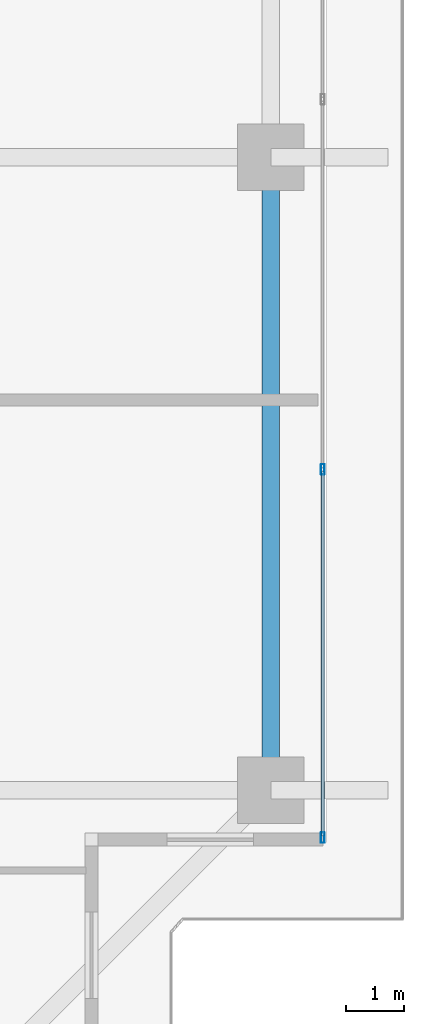
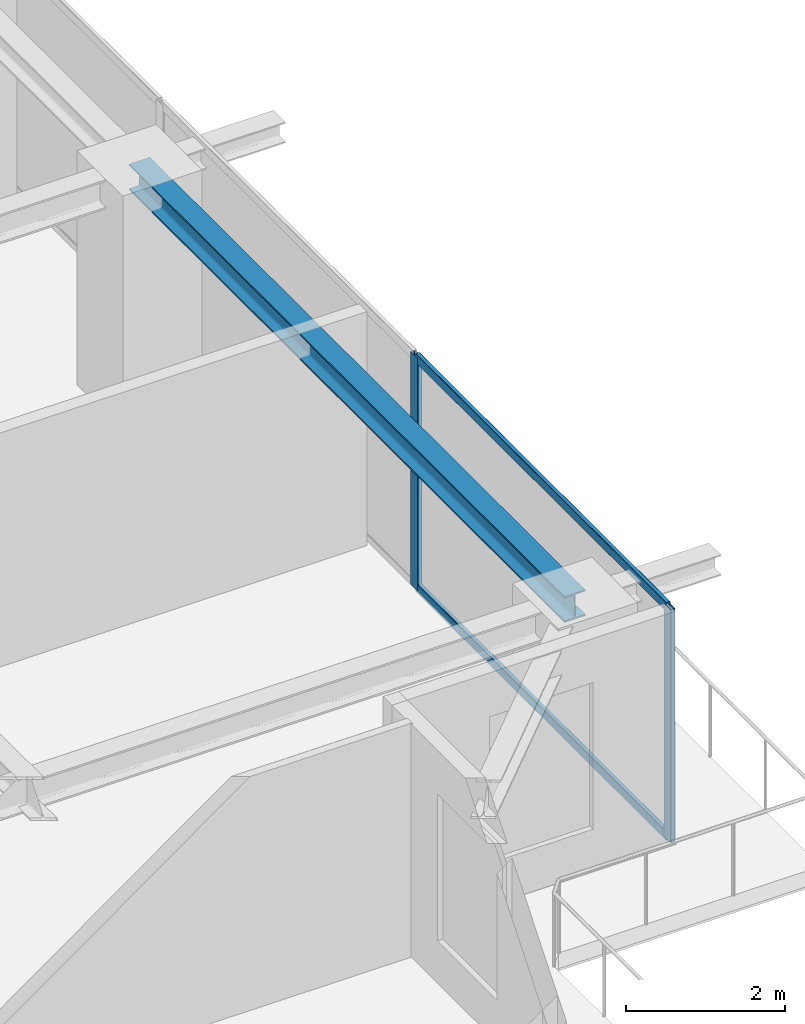
# One storey, part 14 of 39: 4 members, 1 beam, 1 element without a shape of its own.
"""IFC4 building model written with IfcOpenShell, lengths in metres."""

from ifc_helpers import new_model, si_unit, direction, frame, origin, origin_2d, place, context, subcontext, project, spatial, hollow_rectangle, i_section, extrude, source, transform, mapped, material, layer, layer_set, material_profile, profile_set, type_object, element, aggregate, save


model = new_model("IFC4")

# Units and contexts
model_context = context("Model", 3, precision=1e-05, world=origin(), true_north=direction((0.0, 1.0)))
body_context = subcontext(model_context, "Body", "Model", "MODEL_VIEW")
ifc_project = project(units=[si_unit("LENGTHUNIT", "METRE"), si_unit("AREAUNIT", "SQUARE_METRE"), si_unit("VOLUMEUNIT", "CUBIC_METRE"), si_unit("PLANEANGLEUNIT", "RADIAN"), si_unit("MASSUNIT", "GRAM", prefix="KILO")], contexts=[model_context])

# Site, building, storey
site_placement = place(None, origin())
site = spatial("IfcSite", under=ifc_project, at=site_placement, CompositionType="ELEMENT")
building_placement = place(site_placement, origin())
building = spatial("IfcBuilding", under=site, at=building_placement, Name="Serunith Strait Residences", CompositionType="ELEMENT")
storey_placement = place(building_placement, frame((0.0, 0.0, 222.0)))
storey = spatial("IfcBuildingStorey", under=building, at=storey_placement, Name="L55", CompositionType="ELEMENT", Elevation=222.0)

# Beam
ifc_material_1 = material(Name="Steel S355J2", Category="steel")
ifc_material_profile_1 = material_profile(ifc_material_1, i_section(OverallWidth=0.300048828125, OverallDepth=0.39990234375, WebThickness=0.013427734375, FlangeThickness=0.02392578125, FilletRadius=0.027099609375, at=origin_2d()), Name="HEB 400")
ifc_profile_set_1 = profile_set([ifc_material_profile_1], Name="Steel S355J2")
beam_type = type_object("IfcBeamType", Name="BM-HEB400", PredefinedType="BEAM", material=ifc_profile_set_1)
shared_shape_1 = source(origin(), body_context, "Body", "SweptSolid", [
    extrude(i_section(OverallWidth=0.300048828125, OverallDepth=0.39990234375, WebThickness=0.013427734375, FlangeThickness=0.02392578125, FilletRadius=0.027099609375, at=origin_2d()), origin(), (0.0, 0.0, 1.0), 10.949951171875),
])
beam_placement = place(storey_placement, frame((56.5, 10.050048828125, 3.386962890625), z_axis=(0.0, 1.0, 0.0), x_axis=(-1.0, 0.0, 0.0)))
element("IfcBeam", 1, at=beam_placement, inside=storey, type_object=beam_type, Name="L55 Perimeter Ring Beam 05", PredefinedType="BEAM", context=body_context, shape_type="MappedRepresentation", body=[
    mapped(shared_shape_1, transform((0.0, 0.0, 0.0), scale=1.0)),
])

# Curtain wall, members
ifc_material_2 = material(Name="Pale-Champagne Anodised Aluminium", Category="aluminium")
ifc_layer = layer(ifc_material_2, 0.199951171875, Name="Pale-Champagne Anodised Aluminium")
ifc_layer_set = layer_set([ifc_layer], Name="Pale-Champagne Anodised Aluminium")
curtain_wall_type = type_object("IfcCurtainWallType", Name="CW-SYS4", PredefinedType="NOTDEFINED", material=ifc_layer_set)
curtain_wall_placement = place(storey_placement, origin())
curtain_wall = element("IfcCurtainWall", 2, at=curtain_wall_placement, inside=storey, type_object=curtain_wall_type, Name="L55 E Unitised Fritted Curtain Wall", PredefinedType="NOTDEFINED")
ifc_material_profile_2 = material_profile(ifc_material_2, hollow_rectangle(XDim=0.06494140625, YDim=0.179931640625, WallThickness=0.00341796875, InnerFilletRadius=0.00537109375, OuterFilletRadius=0.0087890625, at=origin_2d()), Name="ALU 180x65x3.5")
ifc_profile_set_2 = profile_set([ifc_material_profile_2], Name="Pale-Champagne Anodised Aluminium")
member_type_1 = type_object("IfcMemberType", Name="CW-SYS4-MULL", PredefinedType="MULLION", material=ifc_profile_set_2)
shared_shape_2 = source(origin(), body_context, "Body", "SweptSolid", [
    extrude(hollow_rectangle(XDim=0.06494140625, YDim=0.179931640625, WallThickness=0.00341796875, InnerFilletRadius=0.00537109375, OuterFilletRadius=0.0087890625, at=origin_2d()), origin(), (0.0, 0.0, 1.0), 3.574951171875),
])
member_1_placement = place(storey_placement, frame((57.39990234375, 9.232421875, 0.0), z_axis=(0.0, 0.0, 1.0), x_axis=(-1.0, 0.0, 0.0)))
member_1 = element("IfcMember", 3, at=member_1_placement, type_object=member_type_1, Name="CW-4 mullion 1", PredefinedType="MULLION", context=body_context, shape_type="MappedRepresentation", body=[
    mapped(shared_shape_2, transform((0.0, 0.0, 0.0), scale=1.0)),
])
member_2_placement = place(storey_placement, frame((57.39990234375, 15.60009765625, 0.0), z_axis=(0.0, 0.0, 1.0), x_axis=(-1.0, 0.0, 0.0)))
member_2 = element("IfcMember", 4, at=member_2_placement, type_object=member_type_1, Name="CW-4 mullion 2", PredefinedType="MULLION", context=body_context, shape_type="MappedRepresentation", body=[
    mapped(shared_shape_2, transform((0.0, 0.0, 0.0), scale=1.0)),
])
ifc_material_profile_3 = material_profile(ifc_material_2, hollow_rectangle(XDim=0.06005859375, YDim=0.139892578125, WallThickness=0.00341796875, InnerFilletRadius=0.00537109375, OuterFilletRadius=0.0087890625, at=origin_2d()), Name="ALU 140x60x3.5")
ifc_profile_set_3 = profile_set([ifc_material_profile_3], Name="Pale-Champagne Anodised Aluminium")
member_type_2 = type_object("IfcMemberType", Name="CW-SYS4-TRAN", PredefinedType="USERDEFINED", material=ifc_profile_set_3)
shared_shape_3 = source(origin(), body_context, "Body", "SweptSolid", [
    extrude(hollow_rectangle(XDim=0.06005859375, YDim=0.139892578125, WallThickness=0.00341796875, InnerFilletRadius=0.00537109375, OuterFilletRadius=0.0087890625, at=origin_2d()), origin(), (0.0, 0.0, 1.0), 6.302490234375),
])
member_3_placement = place(storey_placement, frame((57.39990234375, 9.264892578125, 0.030029296875), z_axis=(0.0, 1.0, 0.0), x_axis=(-1.0, 0.0, 0.0)))
member_3 = element("IfcMember", 5, at=member_3_placement, type_object=member_type_2, Name="CW-4 transom 1.1", ObjectType="TRANSOM", PredefinedType="USERDEFINED", context=body_context, shape_type="MappedRepresentation", body=[
    mapped(shared_shape_3, transform((0.0, 0.0, 0.0), scale=1.0)),
])
member_4_placement = place(storey_placement, frame((57.39990234375, 9.264892578125, 3.544921875), z_axis=(0.0, 1.0, 0.0), x_axis=(-1.0, 0.0, 0.0)))
member_4 = element("IfcMember", 6, at=member_4_placement, type_object=member_type_2, Name="CW-4 transom 1.2", ObjectType="TRANSOM", PredefinedType="USERDEFINED", context=body_context, shape_type="MappedRepresentation", body=[
    mapped(shared_shape_3, transform((0.0, 0.0, 0.0), scale=1.0)),
])
aggregate(curtain_wall, [member_1, member_2, member_3, member_4])

save(model, "model.ifc")
